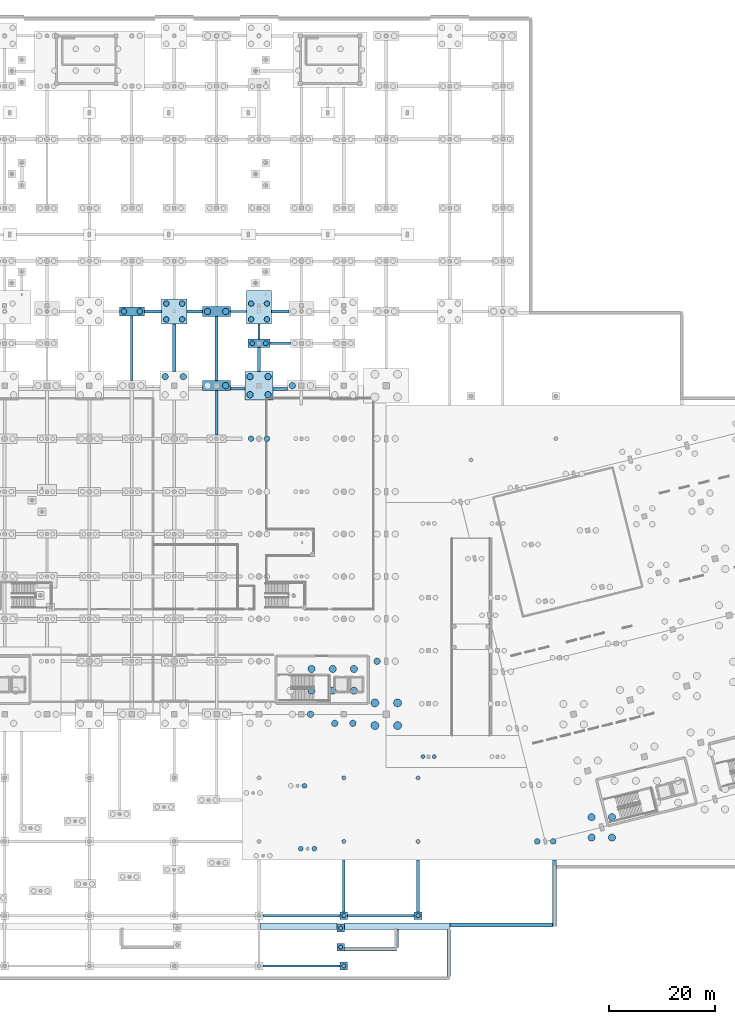
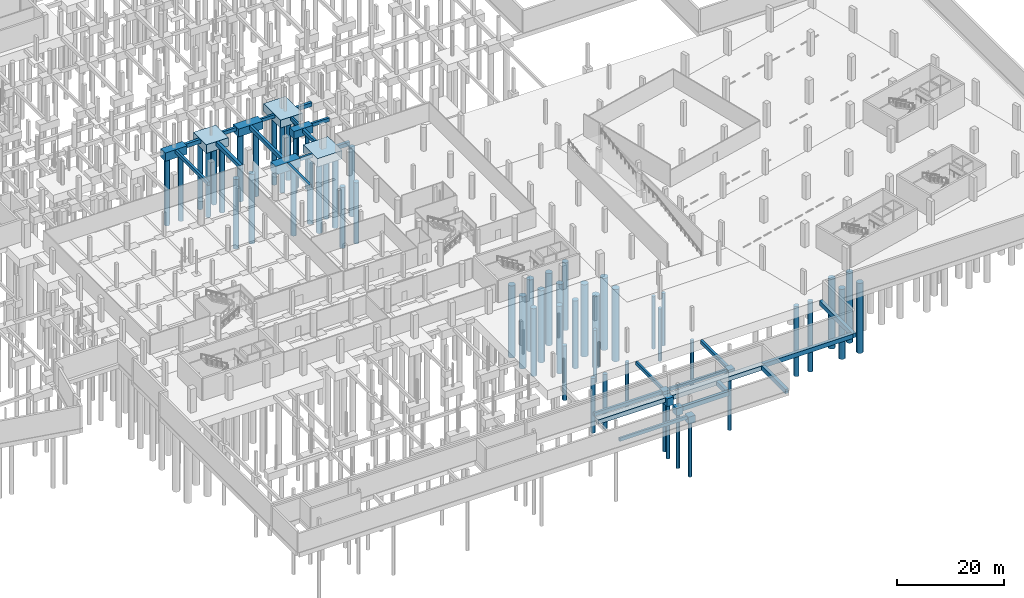
# One storey, part 9 of 65: 58 piles, 37 footings.
"""IFC4 building model written with IfcOpenShell, lengths in metres."""

from ifc_helpers import new_model, si_unit, direction, frame, origin, origin_2d, place, context, subcontext, project, spatial, rectangle, circle, extrude, material, material_profile, profile_set, type_object, element, save


model = new_model("IFC4")

# Units and contexts
model_context = context("Model", 3, precision=1e-05, world=origin(), true_north=direction((0.0, 1.0)))
body_context = subcontext(model_context, "Body", "Model", "MODEL_VIEW")
ifc_project = project(units=[si_unit("LENGTHUNIT", "METRE"), si_unit("AREAUNIT", "SQUARE_METRE"), si_unit("VOLUMEUNIT", "CUBIC_METRE"), si_unit("PLANEANGLEUNIT", "RADIAN"), si_unit("MASSUNIT", "GRAM", prefix="KILO")], contexts=[model_context])

# Site, building, storey
site_placement = place(None, origin())
site = spatial("IfcSite", under=ifc_project, at=site_placement, CompositionType="ELEMENT")
building_placement = place(site_placement, origin())
building = spatial("IfcBuilding", under=site, at=building_placement, Name="Khorjan Park Terminus", CompositionType="ELEMENT")
storey_placement = place(building_placement, frame((0.0, 0.0, -5.4)))
storey = spatial("IfcBuildingStorey", under=building, at=storey_placement, Name="B1", CompositionType="ELEMENT", Elevation=-5.4)

# Footings
ifc_material = material(Name="Concrete C40/50", Category="concrete")
ifc_material_profile_1 = material_profile(ifc_material, rectangle(XDim=0.45, YDim=0.75, at=origin_2d()), Name="RC 450x750")
ifc_profile_set_1 = profile_set([ifc_material_profile_1], Name="Concrete C40/50")
footing_type_1 = type_object("IfcFootingType", Name="FTG-GB-450x750", PredefinedType="FOOTING_BEAM", material=ifc_profile_set_1)
footing_1_placement = place(storey_placement, frame((112.725, -21.5, -0.375), z_axis=(1.0, 0.0, 0.0), x_axis=(0.0, 1.0, 0.0)))
element("IfcFooting", 1, at=footing_1_placement, inside=storey, type_object=footing_type_1, Name="Reinforced concrete ground tie beam FB-07 (5)", PredefinedType="FOOTING_BEAM", context=body_context, shape_type="SweptSolid", body=[
    extrude(rectangle(XDim=0.45, YDim=0.75, at=origin_2d()), origin(), (0.0, 0.0, 1.0), 14.55),
])
footing_2_placement = place(storey_placement, frame((128.725, -12.0, -0.375), z_axis=(1.0, 0.0, 0.0), x_axis=(0.0, 1.0, 0.0)))
element("IfcFooting", 2, at=footing_2_placement, inside=storey, type_object=footing_type_1, Name="Reinforced concrete ground tie beam FB-07 (11)", PredefinedType="FOOTING_BEAM", context=body_context, shape_type="SweptSolid", body=[
    extrude(rectangle(XDim=0.45, YDim=0.75, at=origin_2d()), origin(), (0.0, 0.0, 1.0), 12.55),
])
footing_3_placement = place(storey_placement, frame((106.66, 87.4, -0.375), z_axis=(1.0, 0.0, 0.0), x_axis=(0.0, 1.0, 0.0)))
element("IfcFooting", 3, at=footing_3_placement, inside=storey, type_object=footing_type_1, Name="Reinforced concrete ground tie beam FB-07 (83)", PredefinedType="FOOTING_BEAM", context=body_context, shape_type="SweptSolid", body=[
    extrude(rectangle(XDim=0.45, YDim=0.75, at=origin_2d()), origin(), (0.0, 0.0, 1.0), 2.68),
])
footing_4_placement = place(storey_placement, frame((106.66, 102.0, -0.375), z_axis=(1.0, 0.0, 0.0), x_axis=(0.0, 1.0, 0.0)))
element("IfcFooting", 4, at=footing_4_placement, inside=storey, type_object=footing_type_1, Name="Reinforced concrete ground tie beam FB-07 (101)", PredefinedType="FOOTING_BEAM", context=body_context, shape_type="SweptSolid", body=[
    extrude(rectangle(XDim=0.45, YDim=0.75, at=origin_2d()), origin(), (0.0, 0.0, 1.0), 2.969),
])
footing_5_placement = place(storey_placement, frame((104.0, 78.725, -0.375), z_axis=(0.0, 1.0, 0.0), x_axis=(-1.0, 0.0, 0.0)))
element("IfcFooting", 5, at=footing_5_placement, inside=storey, type_object=footing_type_1, Name="Reinforced concrete ground tie beam FB-07 (335)", PredefinedType="FOOTING_BEAM", context=body_context, shape_type="SweptSolid", body=[
    extrude(rectangle(XDim=0.45, YDim=0.75, at=origin_2d()), origin(), (0.0, 0.0, 1.0), 8.325),
])
footing_6_placement = place(storey_placement, frame((112.0, 96.8, -0.375), z_axis=(0.0, 1.0, 0.0), x_axis=(-1.0, 0.0, 0.0)))
element("IfcFooting", 6, at=footing_6_placement, inside=storey, type_object=footing_type_1, Name="Reinforced concrete ground tie beam FB-07 (344)", PredefinedType="FOOTING_BEAM", context=body_context, shape_type="SweptSolid", body=[
    extrude(rectangle(XDim=0.45, YDim=0.75, at=origin_2d()), origin(), (0.0, 0.0, 1.0), 2.829),
])
footing_7_placement = place(storey_placement, frame((128.0, -11.275, -0.375), z_axis=(0.0, 1.0, 0.0), x_axis=(-1.0, 0.0, 0.0)))
element("IfcFooting", 7, at=footing_7_placement, inside=storey, type_object=footing_type_1, Name="Reinforced concrete ground tie beam FB-07 (353)", PredefinedType="FOOTING_BEAM", context=body_context, shape_type="SweptSolid", body=[
    extrude(rectangle(XDim=0.45, YDim=0.75, at=origin_2d()), origin(), (0.0, 0.0, 1.0), 9.783),
])
ifc_material_profile_2 = material_profile(ifc_material, rectangle(XDim=0.5, YDim=0.8, at=origin_2d()), Name="RC 500x800")
ifc_profile_set_2 = profile_set([ifc_material_profile_2], Name="Concrete C40/50")
footing_type_2 = type_object("IfcFootingType", Name="FTG-GB-500x800", PredefinedType="FOOTING_BEAM", material=ifc_profile_set_2)
footing_8_placement = place(storey_placement, frame((112.725, -12.0, -0.4), z_axis=(1.0, 0.0, 0.0), x_axis=(0.0, 1.0, 0.0)))
element("IfcFooting", 8, at=footing_8_placement, inside=storey, type_object=footing_type_2, Name="Reinforced concrete ground tie beam FB-08 (10)", PredefinedType="FOOTING_BEAM", context=body_context, shape_type="SweptSolid", body=[
    extrude(rectangle(XDim=0.5, YDim=0.8, at=origin_2d()), origin(), (0.0, 0.0, 1.0), 14.55),
])
footing_9_placement = place(storey_placement, frame((114.082, 96.0, -0.4), z_axis=(1.0, 0.0, 0.0), x_axis=(0.0, 1.0, 0.0)))
element("IfcFooting", 9, at=footing_9_placement, inside=storey, type_object=footing_type_2, Name="Reinforced concrete ground tie beam FB-08 (88)", PredefinedType="FOOTING_BEAM", context=body_context, shape_type="SweptSolid", body=[
    extrude(rectangle(XDim=0.5, YDim=0.8, at=origin_2d()), origin(), (0.0, 0.0, 1.0), 3.836),
])
footing_10_placement = place(storey_placement, frame((98.371, 102.0, -0.4), z_axis=(1.0, 0.0, 0.0), x_axis=(0.0, 1.0, 0.0)))
element("IfcFooting", 10, at=footing_10_placement, inside=storey, type_object=footing_type_2, Name="Reinforced concrete ground tie beam FB-08 (100)", PredefinedType="FOOTING_BEAM", context=body_context, shape_type="SweptSolid", body=[
    extrude(rectangle(XDim=0.5, YDim=0.8, at=origin_2d()), origin(), (0.0, 0.0, 1.0), 2.969),
])
footing_11_placement = place(storey_placement, frame((88.0, 88.95, -0.4), z_axis=(0.0, 1.0, 0.0), x_axis=(-1.0, 0.0, 0.0)))
element("IfcFooting", 11, at=footing_11_placement, inside=storey, type_object=footing_type_2, Name="Reinforced concrete ground tie beam FB-08 (310)", PredefinedType="FOOTING_BEAM", context=body_context, shape_type="SweptSolid", body=[
    extrude(rectangle(XDim=0.5, YDim=0.8, at=origin_2d()), origin(), (0.0, 0.0, 1.0), 12.175),
])
footing_12_placement = place(storey_placement, frame((112.0, 90.66, -0.4), z_axis=(0.0, 1.0, 0.0), x_axis=(-1.0, 0.0, 0.0)))
element("IfcFooting", 12, at=footing_12_placement, inside=storey, type_object=footing_type_2, Name="Reinforced concrete ground tie beam FB-08 (343)", PredefinedType="FOOTING_BEAM", context=body_context, shape_type="SweptSolid", body=[
    extrude(rectangle(XDim=0.5, YDim=0.8, at=origin_2d()), origin(), (0.0, 0.0, 1.0), 4.54),
])
footing_13_placement = place(storey_placement, frame((142.0, -11.275, -0.4), z_axis=(0.0, 1.0, 0.0), x_axis=(-1.0, 0.0, 0.0)))
element("IfcFooting", 13, at=footing_13_placement, inside=storey, type_object=footing_type_2, Name="Reinforced concrete ground tie beam FB-08 (364)", PredefinedType="FOOTING_BEAM", context=body_context, shape_type="SweptSolid", body=[
    extrude(rectangle(XDim=0.5, YDim=0.8, at=origin_2d()), origin(), (0.0, 0.0, 1.0), 9.783),
])
ifc_material_profile_3 = material_profile(ifc_material, rectangle(XDim=0.6, YDim=0.9, at=origin_2d()), Name="RC 600x900")
ifc_profile_set_3 = profile_set([ifc_material_profile_3], Name="Concrete C40/50")
footing_type_3 = type_object("IfcFootingType", Name="FTG-GB-600x900", PredefinedType="FOOTING_BEAM", material=ifc_profile_set_3)
footing_14_placement = place(storey_placement, frame((114.66, 87.4, -0.45), z_axis=(1.0, 0.0, 0.0), x_axis=(0.0, 1.0, 0.0)))
element("IfcFooting", 14, at=footing_14_placement, inside=storey, type_object=footing_type_3, Name="Reinforced concrete ground tie beam FB-09 (84)", PredefinedType="FOOTING_BEAM", context=body_context, shape_type="SweptSolid", body=[
    extrude(rectangle(XDim=0.6, YDim=0.9, at=origin_2d()), origin(), (0.0, 0.0, 1.0), 2.68),
])
for number, where, z_axis, x_axis, name in (
    (15, (90.371, 102.0, -0.45), (1.0, 0.0, 0.0), (0.0, 1.0, 0.0), "Reinforced concrete ground tie beam FB-09 (99)"),
    (16, (114.371, 102.0, -0.45), (1.0, 0.0, 0.0), (0.0, 1.0, 0.0), "Reinforced concrete ground tie beam FB-09 (102)"),
):
    element("IfcFooting", number, at=place(storey_placement, frame(where, z_axis=z_axis, x_axis=x_axis)), inside=storey, type_object=footing_type_3, Name=name, PredefinedType="FOOTING_BEAM", context=body_context, shape_type="SweptSolid", body=[
        extrude(rectangle(XDim=0.6, YDim=0.9, at=origin_2d()), origin(), (0.0, 0.0, 1.0), 3.258),
    ])
footing_15_placement = place(storey_placement, frame((96.0, 90.66, -0.45), z_axis=(0.0, 1.0, 0.0), x_axis=(-1.0, 0.0, 0.0)))
element("IfcFooting", 17, at=footing_15_placement, inside=storey, type_object=footing_type_3, Name="Reinforced concrete ground tie beam FB-09 (324)", PredefinedType="FOOTING_BEAM", context=body_context, shape_type="SweptSolid", body=[
    extrude(rectangle(XDim=0.6, YDim=0.9, at=origin_2d()), origin(), (0.0, 0.0, 1.0), 8.969),
])
footing_16_placement = place(storey_placement, frame((104.0, 88.95, -0.45), z_axis=(0.0, 1.0, 0.0), x_axis=(-1.0, 0.0, 0.0)))
element("IfcFooting", 18, at=footing_16_placement, inside=storey, type_object=footing_type_3, Name="Reinforced concrete ground tie beam FB-09 (336)", PredefinedType="FOOTING_BEAM", context=body_context, shape_type="SweptSolid", body=[
    extrude(rectangle(XDim=0.6, YDim=0.9, at=origin_2d()), origin(), (0.0, 0.0, 1.0), 12.1),
])
footing_type_4 = type_object("IfcFootingType", Name="FTG-PC-03", PredefinedType="PILE_CAP", material=ifc_material)
footing_17_placement = place(storey_placement, frame((104.0, 102.0, -1.78), z_axis=(0.0, 0.0, 1.0), x_axis=(1.0, 0.0, 0.0)))
element("IfcFooting", 19, at=footing_17_placement, inside=storey, type_object=footing_type_4, Name="Reinforced concrete pile cap PC-03 (201)", PredefinedType="PILE_CAP", context=body_context, shape_type="SweptSolid", body=[
    extrude(rectangle(XDim=5.32, YDim=1.9, at=origin_2d()), origin(), (0.0, 0.0, 1.0), 1.78),
])
footing_type_5 = type_object("IfcFootingType", Name="FTG-PC-14", PredefinedType="PILE_CAP", material=ifc_material)
footing_18_placement = place(storey_placement, frame((112.0, 96.0, -1.72), z_axis=(0.0, 0.0, 1.0), x_axis=(1.0, 0.0, 0.0)))
element("IfcFooting", 20, at=footing_18_placement, inside=storey, type_object=footing_type_5, Name="Reinforced concrete pile cap PC-14 (218)", PredefinedType="PILE_CAP", context=body_context, shape_type="SweptSolid", body=[
    extrude(rectangle(XDim=4.164, YDim=1.6, at=origin_2d()), origin(), (0.0, 0.0, 1.0), 1.72),
])
footing_type_6 = type_object("IfcFootingType", Name="FTG-PC-15", PredefinedType="PILE_CAP", material=ifc_material)
footing_19_placement = place(storey_placement, frame((128.0, -12.0, -1.6), z_axis=(0.0, 0.0, 1.0), x_axis=(1.0, 0.0, 0.0)))
element("IfcFooting", 21, at=footing_19_placement, inside=storey, type_object=footing_type_6, Name="Reinforced concrete pile cap PC-15 (248)", PredefinedType="PILE_CAP", context=body_context, shape_type="SweptSolid", body=[
    extrude(rectangle(XDim=1.45, YDim=1.45, at=origin_2d()), origin(), (0.0, 0.0, 1.0), 1.6),
])
footing_type_7 = type_object("IfcFootingType", Name="FTG-PC-16", PredefinedType="PILE_CAP", material=ifc_material)
for number, where, z_axis, x_axis, name in (
    (22, (127.41, -17.94, -1.66), (0.0, 0.0, 1.0), (1.0, 0.0, 0.0), "Reinforced concrete pile cap PC-16 (245)"),
    (23, (128.0, -21.5, -1.66), (0.0, 0.0, 1.0), (1.0, 0.0, 0.0), "Reinforced concrete pile cap PC-16 (247)"),
):
    element("IfcFooting", number, at=place(storey_placement, frame(where, z_axis=z_axis, x_axis=x_axis)), inside=storey, type_object=footing_type_7, Name=name, PredefinedType="PILE_CAP", context=body_context, shape_type="SweptSolid", body=[
        extrude(rectangle(XDim=1.45, YDim=1.45, at=origin_2d()), origin(), (0.0, 0.0, 1.0), 1.66),
    ])
footing_type_8 = type_object("IfcFootingType", Name="FTG-PC-17", PredefinedType="PILE_CAP", material=ifc_material)
footing_20_placement = place(storey_placement, frame((127.41, -14.35, -1.72), z_axis=(0.0, 0.0, 1.0), x_axis=(1.0, 0.0, 0.0)))
element("IfcFooting", 24, at=footing_20_placement, inside=storey, type_object=footing_type_8, Name="Reinforced concrete pile cap PC-17 (246)", PredefinedType="PILE_CAP", context=body_context, shape_type="SweptSolid", body=[
    extrude(rectangle(XDim=1.45, YDim=1.45, at=origin_2d()), origin(), (0.0, 0.0, 1.0), 1.72),
])
footing_type_9 = type_object("IfcFootingType", Name="FTG-PC-20", PredefinedType="PILE_CAP", material=ifc_material)
footing_21_placement = place(storey_placement, frame((88.0, 102.0, -1.9), z_axis=(0.0, 0.0, 1.0), x_axis=(1.0, 0.0, 0.0)))
element("IfcFooting", 25, at=footing_21_placement, inside=storey, type_object=footing_type_9, Name="Reinforced concrete pile cap PC-20 (166)", PredefinedType="PILE_CAP", context=body_context, shape_type="SweptSolid", body=[
    extrude(rectangle(XDim=4.742, YDim=1.75, at=origin_2d()), origin(), (0.0, 0.0, 1.0), 1.9),
])
footing_type_10 = type_object("IfcFootingType", Name="FTG-PC-21", PredefinedType="PILE_CAP", material=ifc_material)
footing_22_placement = place(storey_placement, frame((142.0, -12.0, -1.84), z_axis=(0.0, 0.0, 1.0), x_axis=(1.0, 0.0, 0.0)))
element("IfcFooting", 26, at=footing_22_placement, inside=storey, type_object=footing_type_10, Name="Reinforced concrete pile cap PC-21 (256)", PredefinedType="PILE_CAP", context=body_context, shape_type="SweptSolid", body=[
    extrude(rectangle(XDim=1.45, YDim=1.45, at=origin_2d()), origin(), (0.0, 0.0, 1.0), 1.84),
])
footing_type_11 = type_object("IfcFootingType", Name="FTG-PC-48", PredefinedType="PILE_CAP", material=ifc_material)
footing_23_placement = place(storey_placement, frame((96.0, 102.0, -1.96), z_axis=(0.0, 0.0, 1.0), x_axis=(1.0, 0.0, 0.0)))
element("IfcFooting", 27, at=footing_23_placement, inside=storey, type_object=footing_type_11, Name="Reinforced concrete pile cap PC-48 (181)", PredefinedType="PILE_CAP", context=body_context, shape_type="SweptSolid", body=[
    extrude(rectangle(XDim=4.742, YDim=4.742, at=origin_2d()), origin(), (0.0, 0.0, 1.0), 1.96),
])
footing_type_12 = type_object("IfcFootingType", Name="FTG-PC-49", PredefinedType="PILE_CAP", material=ifc_material)
footing_24_placement = place(storey_placement, frame((104.0, 88.0, -2.02), z_axis=(0.0, 0.0, 1.0), x_axis=(1.0, 0.0, 0.0)))
element("IfcFooting", 28, at=footing_24_placement, inside=storey, type_object=footing_type_12, Name="Reinforced concrete pile cap PC-49 (200)", PredefinedType="PILE_CAP", context=body_context, shape_type="SweptSolid", body=[
    extrude(rectangle(XDim=5.32, YDim=1.9, at=origin_2d()), origin(), (0.0, 0.0, 1.0), 2.02),
])
footing_type_13 = type_object("IfcFootingType", Name="FTG-PC-51", PredefinedType="PILE_CAP", material=ifc_material)
footing_25_placement = place(storey_placement, frame((112.0, 102.787, -1.78), z_axis=(0.0, 0.0, 1.0), x_axis=(1.0, 0.0, 0.0)))
element("IfcFooting", 29, at=footing_25_placement, inside=storey, type_object=footing_type_13, Name="Reinforced concrete pile cap PC-51 (216)", PredefinedType="PILE_CAP", context=body_context, shape_type="SweptSolid", body=[
    extrude(rectangle(XDim=4.742, YDim=6.316, at=origin_2d()), origin(), (0.0, 0.0, 1.0), 1.78),
])
footing_type_14 = type_object("IfcFootingType", Name="FTG-PC-58", PredefinedType="PILE_CAP", material=ifc_material)
footing_26_placement = place(storey_placement, frame((112.0, 88.0, -1.9), z_axis=(0.0, 0.0, 1.0), x_axis=(1.0, 0.0, 0.0)))
element("IfcFooting", 30, at=footing_26_placement, inside=storey, type_object=footing_type_14, Name="Reinforced concrete pile cap PC-58 (215)", PredefinedType="PILE_CAP", context=body_context, shape_type="SweptSolid", body=[
    extrude(rectangle(XDim=5.32, YDim=5.32, at=origin_2d()), origin(), (0.0, 0.0, 1.0), 1.9),
])
ifc_material_profile_4 = material_profile(ifc_material, rectangle(XDim=1.2, YDim=1.0, at=origin_2d()), Name="RC 1200x1000")
ifc_profile_set_4 = profile_set([ifc_material_profile_4], Name="Concrete C40/50")
footing_type_15 = type_object("IfcFootingType", Name="FTG-SF-1200x1000", PredefinedType="STRIP_FOOTING", material=ifc_profile_set_4)
footing_27_placement = place(storey_placement, frame((112.228, -13.98, -0.5), z_axis=(1.0, 0.0, 0.0), x_axis=(0.0, 1.0, 0.0)))
element("IfcFooting", 31, at=footing_27_placement, inside=storey, type_object=footing_type_15, Name="Reinforced concrete wall strip footing SF-12 (7)", PredefinedType="STRIP_FOOTING", context=body_context, shape_type="SweptSolid", body=[
    extrude(rectangle(XDim=1.2, YDim=1.0, at=origin_2d()), origin(), (0.0, 0.0, 1.0), 14.454),
])
footing_28_placement = place(storey_placement, frame((128.138, -13.98, -0.5), z_axis=(1.0, 0.0, 0.0), x_axis=(0.0, 1.0, 0.0)))
element("IfcFooting", 32, at=footing_28_placement, inside=storey, type_object=footing_type_15, Name="Reinforced concrete wall strip footing SF-12 (8)", PredefinedType="STRIP_FOOTING", context=body_context, shape_type="SweptSolid", body=[
    extrude(rectangle(XDim=1.2, YDim=1.0, at=origin_2d()), origin(), (0.0, 0.0, 1.0), 19.862),
])
ifc_material_profile_5 = material_profile(ifc_material, rectangle(XDim=0.7, YDim=1.0, at=origin_2d()), Name="RC 700x1000")
ifc_profile_set_5 = profile_set([ifc_material_profile_5], Name="Concrete C40/50")
footing_type_16 = type_object("IfcFootingType", Name="FTG-SF-700x1000", PredefinedType="STRIP_FOOTING", material=ifc_profile_set_5)
footing_29_placement = place(storey_placement, frame((167.76, -1.495, -0.5), z_axis=(0.0, -1.0, 0.0), x_axis=(1.0, 0.0, 0.0)))
element("IfcFooting", 33, at=footing_29_placement, inside=storey, type_object=footing_type_16, Name="Reinforced concrete wall strip footing SF-07 (21)", PredefinedType="STRIP_FOOTING", context=body_context, shape_type="SweptSolid", body=[
    extrude(rectangle(XDim=0.7, YDim=1.0, at=origin_2d()), origin(), (0.0, 0.0, 1.0), 12.505),
])
footing_30_placement = place(storey_placement, frame((148.003, -13.76, -0.5), z_axis=(1.0, 0.0, 0.0), x_axis=(0.0, 1.0, 0.0)))
element("IfcFooting", 34, at=footing_30_placement, inside=storey, type_object=footing_type_16, Name="Reinforced concrete wall strip footing SF-07 (52)", PredefinedType="STRIP_FOOTING", context=body_context, shape_type="SweptSolid", body=[
    extrude(rectangle(XDim=0.7, YDim=1.0, at=origin_2d()), origin(), (0.0, 0.0, 1.0), 19.404),
])
footing_31_placement = place(storey_placement, frame((128.138, -18.35, -0.5), z_axis=(1.0, 0.0, 0.0), x_axis=(0.0, 1.0, 0.0)))
element("IfcFooting", 35, at=footing_31_placement, inside=storey, type_object=footing_type_16, Name="Reinforced concrete wall strip footing SF-07 (59)", PredefinedType="STRIP_FOOTING", context=body_context, shape_type="SweptSolid", body=[
    extrude(rectangle(XDim=0.7, YDim=1.0, at=origin_2d()), origin(), (0.0, 0.0, 1.0), 9.862),
])
footing_32_placement = place(storey_placement, frame((147.79, -14.583, -0.5), z_axis=(0.0, -1.0, 0.0), x_axis=(1.0, 0.0, 0.0)))
element("IfcFooting", 36, at=footing_32_placement, inside=storey, type_object=footing_type_16, Name="Reinforced concrete wall strip footing SF-07 (64)", PredefinedType="STRIP_FOOTING", context=body_context, shape_type="SweptSolid", body=[
    extrude(rectangle(XDim=0.7, YDim=1.0, at=origin_2d()), origin(), (0.0, 0.0, 1.0), 8.854),
])
footing_33_placement = place(storey_placement, frame((138.0, -17.997, -0.5), z_axis=(0.0, 1.0, 0.0), x_axis=(-1.0, 0.0, 0.0)))
element("IfcFooting", 37, at=footing_33_placement, inside=storey, type_object=footing_type_16, Name="Reinforced concrete wall strip footing SF-07 (83)", PredefinedType="STRIP_FOOTING", context=body_context, shape_type="SweptSolid", body=[
    extrude(rectangle(XDim=0.7, YDim=1.0, at=origin_2d()), origin(), (0.0, 0.0, 1.0), 3.414),
])

# Piles
ifc_material_profile_6 = material_profile(ifc_material, circle(Radius=0.525, at=origin_2d()), Name="BORED D1050")
ifc_profile_set_6 = profile_set([ifc_material_profile_6], Name="Concrete C40/50")
pile_type_1 = type_object("IfcPileType", Name="PL-D1050", PredefinedType="BORED", material=ifc_profile_set_6)
for number, where, z_axis, x_axis, name in (
    (38, (86.5035, 102.0, -1.8), (0.0, 0.0, -1.0), (1.0, 0.0, 0.0), "Bored rock-socketed pile PL-105 (370)"),
    (39, (89.4965, 102.0, -1.8), (0.0, 0.0, -1.0), (1.0, 0.0, 0.0), "Bored rock-socketed pile PL-105 (371)"),
):
    element("IfcPile", number, at=place(storey_placement, frame(where, z_axis=z_axis, x_axis=x_axis)), inside=storey, type_object=pile_type_1, Name=name, PredefinedType="BORED", context=body_context, shape_type="SweptSolid", body=[
        extrude(circle(Radius=0.525, at=origin_2d()), origin(), (0.0, 0.0, 1.0), 15.3),
    ])
for number, where, z_axis, x_axis, name in (
    (40, (94.5035, 100.5035, -1.86), (0.0, 0.0, -1.0), (1.0, 0.0, 0.0), "Bored rock-socketed pile PL-105 (404)"),
    (41, (94.5035, 103.4965, -1.86), (0.0, 0.0, -1.0), (1.0, 0.0, 0.0), "Bored rock-socketed pile PL-105 (405)"),
    (42, (97.4965, 100.5035, -1.86), (0.0, 0.0, -1.0), (1.0, 0.0, 0.0), "Bored rock-socketed pile PL-105 (406)"),
    (43, (97.4965, 103.4965, -1.86), (0.0, 0.0, -1.0), (1.0, 0.0, 0.0), "Bored rock-socketed pile PL-105 (407)"),
):
    element("IfcPile", number, at=place(storey_placement, frame(where, z_axis=z_axis, x_axis=x_axis)), inside=storey, type_object=pile_type_1, Name=name, PredefinedType="BORED", context=body_context, shape_type="SweptSolid", body=[
        extrude(circle(Radius=0.525, at=origin_2d()), origin(), (0.0, 0.0, 1.0), 15.24),
    ])
for number, where, z_axis, x_axis, name in (
    (44, (164.5035, 2.0, -2.14), (0.0, 0.0, -1.0), (1.0, 0.0, 0.0), "Bored rock-socketed pile PL-105 (613)"),
    (45, (167.4965, 2.0, -2.14), (0.0, 0.0, -1.0), (1.0, 0.0, 0.0), "Bored rock-socketed pile PL-105 (614)"),
):
    element("IfcPile", number, at=place(storey_placement, frame(where, z_axis=z_axis, x_axis=x_axis)), inside=storey, type_object=pile_type_1, Name=name, PredefinedType="BORED", context=body_context, shape_type="SweptSolid", body=[
        extrude(circle(Radius=0.525, at=origin_2d()), origin(), (0.0, 0.0, 1.0), 15.96),
    ])
for number, where, z_axis, x_axis, name in (
    (46, (110.5035, 78.0, -2.14), (0.0, 0.0, -1.0), (1.0, 0.0, 0.0), "Bored rock-socketed pile PL-105 (665)"),
    (47, (113.4965, 78.0, -2.14), (0.0, 0.0, -1.0), (1.0, 0.0, 0.0), "Bored rock-socketed pile PL-105 (666)"),
):
    element("IfcPile", number, at=place(storey_placement, frame(where, z_axis=z_axis, x_axis=x_axis)), inside=storey, type_object=pile_type_1, Name=name, PredefinedType="BORED", context=body_context, shape_type="SweptSolid", body=[
        extrude(circle(Radius=0.525, at=origin_2d()), origin(), (0.0, 0.0, 1.0), 13.96),
    ])
for number, where, z_axis, x_axis, name in (
    (48, (110.5035, 100.5035, -1.68), (0.0, 0.0, -1.0), (1.0, 0.0, 0.0), "Bored rock-socketed pile PL-105 (746)"),
    (49, (110.5035, 103.4965, -1.68), (0.0, 0.0, -1.0), (1.0, 0.0, 0.0), "Bored rock-socketed pile PL-105 (747)"),
    (50, (113.4965, 100.5035, -1.68), (0.0, 0.0, -1.0), (1.0, 0.0, 0.0), "Bored rock-socketed pile PL-105 (748)"),
    (51, (113.4965, 103.4965, -1.68), (0.0, 0.0, -1.0), (1.0, 0.0, 0.0), "Bored rock-socketed pile PL-105 (749)"),
):
    element("IfcPile", number, at=place(storey_placement, frame(where, z_axis=z_axis, x_axis=x_axis)), inside=storey, type_object=pile_type_1, Name=name, PredefinedType="BORED", context=body_context, shape_type="SweptSolid", body=[
        extrude(circle(Radius=0.525, at=origin_2d()), origin(), (0.0, 0.0, 1.0), 15.42),
    ])
ifc_material_profile_7 = material_profile(ifc_material, circle(Radius=0.6, at=origin_2d()), Name="BORED D1200")
ifc_profile_set_7 = profile_set([ifc_material_profile_7], Name="Concrete C40/50")
pile_type_2 = type_object("IfcPileType", Name="PL-D1200", PredefinedType="BORED", material=ifc_profile_set_7)
for number, where, z_axis, x_axis, name in (
    (52, (94.29, 89.71, -1.74), (0.0, 0.0, -1.0), (1.0, 0.0, 0.0), "Bored rock-socketed pile PL-120 (397)"),
    (53, (97.71, 89.71, -1.74), (0.0, 0.0, -1.0), (1.0, 0.0, 0.0), "Bored rock-socketed pile PL-120 (399)"),
):
    element("IfcPile", number, at=place(storey_placement, frame(where, z_axis=z_axis, x_axis=x_axis)), inside=storey, type_object=pile_type_2, Name=name, PredefinedType="BORED", context=body_context, shape_type="SweptSolid", body=[
        extrude(circle(Radius=0.6, at=origin_2d()), origin(), (0.0, 0.0, 1.0), 15.86),
    ])
pile_1_placement = place(storey_placement, frame((105.71, 88.0, -1.92), z_axis=(0.0, 0.0, -1.0), x_axis=(1.0, 0.0, 0.0)))
element("IfcPile", 54, at=pile_1_placement, inside=storey, type_object=pile_type_2, Name="Bored rock-socketed pile PL-120 (441)", PredefinedType="BORED", context=body_context, shape_type="SweptSolid", body=[
    extrude(circle(Radius=0.6, at=origin_2d()), origin(), (0.0, 0.0, 1.0), 15.68),
])
for number, where, z_axis, x_axis, name in (
    (55, (102.29, 102.0, -1.68), (0.0, 0.0, -1.0), (1.0, 0.0, 0.0), "Bored rock-socketed pile PL-120 (442)"),
    (56, (105.71, 102.0, -1.68), (0.0, 0.0, -1.0), (1.0, 0.0, 0.0), "Bored rock-socketed pile PL-120 (443)"),
):
    element("IfcPile", number, at=place(storey_placement, frame(where, z_axis=z_axis, x_axis=x_axis)), inside=storey, type_object=pile_type_2, Name=name, PredefinedType="BORED", context=body_context, shape_type="SweptSolid", body=[
        extrude(circle(Radius=0.6, at=origin_2d()), origin(), (0.0, 0.0, 1.0), 15.42),
    ])
for number, where, z_axis, x_axis, name in (
    (57, (121.71, 26.0, -2.14), (0.0, 0.0, -1.0), (1.0, 0.0, 0.0), "Bored rock-socketed pile PL-120 (584)"),
    (58, (126.29, 24.29, -2.14), (0.0, 0.0, -1.0), (1.0, 0.0, 0.0), "Bored rock-socketed pile PL-120 (585)"),
    (59, (129.71, 24.29, -2.14), (0.0, 0.0, -1.0), (1.0, 0.0, 0.0), "Bored rock-socketed pile PL-120 (586)"),
    (60, (134.29, 36.0, -2.14), (0.0, 0.0, -1.0), (1.0, 0.0, 0.0), "Bored rock-socketed pile PL-120 (587)"),
):
    element("IfcPile", number, at=place(storey_placement, frame(where, z_axis=z_axis, x_axis=x_axis)), inside=storey, type_object=pile_type_2, Name=name, PredefinedType="BORED", context=body_context, shape_type="SweptSolid", body=[
        extrude(circle(Radius=0.6, at=origin_2d()), origin(), (0.0, 0.0, 1.0), 15.46),
    ])
for number, where, z_axis, x_axis, name in (
    (61, (110.29, 86.29, -1.8), (0.0, 0.0, -1.0), (1.0, 0.0, 0.0), "Bored rock-socketed pile PL-120 (742)"),
    (62, (110.29, 89.71, -1.8), (0.0, 0.0, -1.0), (1.0, 0.0, 0.0), "Bored rock-socketed pile PL-120 (743)"),
    (63, (113.71, 86.29, -1.8), (0.0, 0.0, -1.0), (1.0, 0.0, 0.0), "Bored rock-socketed pile PL-120 (744)"),
    (64, (113.71, 89.71, -1.8), (0.0, 0.0, -1.0), (1.0, 0.0, 0.0), "Bored rock-socketed pile PL-120 (745)"),
):
    element("IfcPile", number, at=place(storey_placement, frame(where, z_axis=z_axis, x_axis=x_axis)), inside=storey, type_object=pile_type_2, Name=name, PredefinedType="BORED", context=body_context, shape_type="SweptSolid", body=[
        extrude(circle(Radius=0.6, at=origin_2d()), origin(), (0.0, 0.0, 1.0), 15.8),
    ])
pile_2_placement = place(storey_placement, frame((118.29, 88.0, -1.92), z_axis=(0.0, 0.0, -1.0), x_axis=(1.0, 0.0, 0.0)))
element("IfcPile", 65, at=pile_2_placement, inside=storey, type_object=pile_type_2, Name="Bored rock-socketed pile PL-120 (773)", PredefinedType="BORED", context=body_context, shape_type="SweptSolid", body=[
    extrude(circle(Radius=0.6, at=origin_2d()), origin(), (0.0, 0.0, 1.0), 15.68),
])
ifc_material_profile_8 = material_profile(ifc_material, circle(Radius=0.675, at=origin_2d()), Name="BORED D1350")
ifc_profile_set_8 = profile_set([ifc_material_profile_8], Name="Concrete C40/50")
pile_type_3 = type_object("IfcPileType", Name="PL-D1350", PredefinedType="BORED", material=ifc_profile_set_8)
for number, where, z_axis, x_axis, name in (
    (66, (121.9, 30.45, -2.14), (0.0, 0.0, -1.0), (1.0, 0.0, 0.0), "Bored rock-socketed pile PL-135 (474)"),
    (67, (121.9, 34.55, -2.14), (0.0, 0.0, -1.0), (1.0, 0.0, 0.0), "Bored rock-socketed pile PL-135 (475)"),
    (68, (125.9, 30.45, -2.14), (0.0, 0.0, -1.0), (1.0, 0.0, 0.0), "Bored rock-socketed pile PL-135 (476)"),
    (69, (125.9, 34.55, -2.14), (0.0, 0.0, -1.0), (1.0, 0.0, 0.0), "Bored rock-socketed pile PL-135 (477)"),
    (70, (129.9, 30.45, -2.14), (0.0, 0.0, -1.0), (1.0, 0.0, 0.0), "Bored rock-socketed pile PL-135 (478)"),
    (71, (129.9, 34.55, -2.14), (0.0, 0.0, -1.0), (1.0, 0.0, 0.0), "Bored rock-socketed pile PL-135 (479)"),
):
    element("IfcPile", number, at=place(storey_placement, frame(where, z_axis=z_axis, x_axis=x_axis)), inside=storey, type_object=pile_type_3, Name=name, PredefinedType="BORED", context=body_context, shape_type="SweptSolid", body=[
        extrude(circle(Radius=0.675, at=origin_2d()), origin(), (0.0, 0.0, 1.0), 16.46),
    ])
for number, where, z_axis, x_axis, name in (
    (72, (174.749, 2.737, -2.14), (0.0, 0.0, -1.0), (1.0, 0.0, 0.0), "Bored rock-socketed pile PL-135 (480)"),
    (73, (174.749, 6.585, -2.14), (0.0, 0.0, -1.0), (1.0, 0.0, 0.0), "Bored rock-socketed pile PL-135 (481)"),
    (74, (178.597, 2.737, -2.14), (0.0, 0.0, -1.0), (1.0, 0.0, 0.0), "Bored rock-socketed pile PL-135 (482)"),
    (75, (178.597, 6.585, -2.14), (0.0, 0.0, -1.0), (1.0, 0.0, 0.0), "Bored rock-socketed pile PL-135 (483)"),
):
    element("IfcPile", number, at=place(storey_placement, frame(where, z_axis=z_axis, x_axis=x_axis)), inside=storey, type_object=pile_type_3, Name=name, PredefinedType="BORED", context=body_context, shape_type="SweptSolid", body=[
        extrude(circle(Radius=0.675, at=origin_2d()), origin(), (0.0, 0.0, 1.0), 15.96),
    ])
ifc_material_profile_9 = material_profile(ifc_material, circle(Radius=0.75, at=origin_2d()), Name="BORED D1500")
ifc_profile_set_9 = profile_set([ifc_material_profile_9], Name="Concrete C40/50")
pile_type_4 = type_object("IfcPileType", Name="PL-D1500", PredefinedType="BORED", material=ifc_profile_set_9)
for number, where, z_axis, x_axis, name in (
    (76, (133.8625, 23.8625, -2.14), (0.0, 0.0, -1.0), (1.0, 0.0, 0.0), "Bored rock-socketed pile PL-150 (468)"),
    (77, (133.8625, 28.1375, -2.14), (0.0, 0.0, -1.0), (1.0, 0.0, 0.0), "Bored rock-socketed pile PL-150 (469)"),
    (78, (138.1375, 23.8625, -2.14), (0.0, 0.0, -1.0), (1.0, 0.0, 0.0), "Bored rock-socketed pile PL-150 (470)"),
    (79, (138.1375, 28.1375, -2.14), (0.0, 0.0, -1.0), (1.0, 0.0, 0.0), "Bored rock-socketed pile PL-150 (471)"),
):
    element("IfcPile", number, at=place(storey_placement, frame(where, z_axis=z_axis, x_axis=x_axis)), inside=storey, type_object=pile_type_4, Name=name, PredefinedType="BORED", context=body_context, shape_type="SweptSolid", body=[
        extrude(circle(Radius=0.75, at=origin_2d()), origin(), (0.0, 0.0, 1.0), 16.46),
    ])
ifc_material_profile_10 = material_profile(ifc_material, circle(Radius=0.375, at=origin_2d()), Name="BORED D750")
ifc_profile_set_10 = profile_set([ifc_material_profile_10], Name="Concrete C40/50")
pile_type_5 = type_object("IfcPileType", Name="PL-D750", PredefinedType="BORED", material=ifc_profile_set_10)
for number, where, z_axis, x_axis, name in (
    (80, (142.931, 18.0, -2.14), (0.0, 0.0, -1.0), (1.0, 0.0, 0.0), "Bored rock-socketed pile PL-75 (723)"),
    (81, (145.069, 18.0, -2.14), (0.0, 0.0, -1.0), (1.0, 0.0, 0.0), "Bored rock-socketed pile PL-75 (724)"),
    (82, (128.0, 14.0, -2.14), (0.0, 0.0, -1.0), (1.0, 0.0, 0.0), "Bored rock-socketed pile PL-75 (733)"),
    (83, (128.0, 2.0, -2.14), (0.0, 0.0, -1.0), (1.0, 0.0, 0.0), "Bored rock-socketed pile PL-75 (734)"),
    (84, (142.0, 14.0, -2.14), (0.0, 0.0, -1.0), (1.0, 0.0, 0.0), "Bored rock-socketed pile PL-75 (735)"),
    (85, (142.0, 2.0, -2.14), (0.0, 0.0, -1.0), (1.0, 0.0, 0.0), "Bored rock-socketed pile PL-75 (736)"),
):
    element("IfcPile", number, at=place(storey_placement, frame(where, z_axis=z_axis, x_axis=x_axis)), inside=storey, type_object=pile_type_5, Name=name, PredefinedType="BORED", context=body_context, shape_type="SweptSolid", body=[
        extrude(circle(Radius=0.375, at=origin_2d()), origin(), (0.0, 0.0, 1.0), 11.96),
    ])
pile_3_placement = place(storey_placement, frame((127.41, -17.94, -1.56), z_axis=(0.0, 0.0, -1.0), x_axis=(1.0, 0.0, 0.0)))
element("IfcPile", 86, at=pile_3_placement, inside=storey, type_object=pile_type_5, Name="Bored rock-socketed pile PL-75 (809)", PredefinedType="BORED", context=body_context, shape_type="SweptSolid", body=[
    extrude(circle(Radius=0.375, at=origin_2d()), origin(), (0.0, 0.0, 1.0), 12.54),
])
pile_4_placement = place(storey_placement, frame((127.41, -14.35, -1.62), z_axis=(0.0, 0.0, -1.0), x_axis=(1.0, 0.0, 0.0)))
element("IfcPile", 87, at=pile_4_placement, inside=storey, type_object=pile_type_5, Name="Bored rock-socketed pile PL-75 (810)", PredefinedType="BORED", context=body_context, shape_type="SweptSolid", body=[
    extrude(circle(Radius=0.375, at=origin_2d()), origin(), (0.0, 0.0, 1.0), 12.48),
])
pile_5_placement = place(storey_placement, frame((128.0, -21.5, -1.56), z_axis=(0.0, 0.0, -1.0), x_axis=(1.0, 0.0, 0.0)))
element("IfcPile", 88, at=pile_5_placement, inside=storey, type_object=pile_type_5, Name="Bored rock-socketed pile PL-75 (811)", PredefinedType="BORED", context=body_context, shape_type="SweptSolid", body=[
    extrude(circle(Radius=0.375, at=origin_2d()), origin(), (0.0, 0.0, 1.0), 12.54),
])
pile_6_placement = place(storey_placement, frame((128.0, -12.0, -1.5), z_axis=(0.0, 0.0, -1.0), x_axis=(1.0, 0.0, 0.0)))
element("IfcPile", 89, at=pile_6_placement, inside=storey, type_object=pile_type_5, Name="Bored rock-socketed pile PL-75 (812)", PredefinedType="BORED", context=body_context, shape_type="SweptSolid", body=[
    extrude(circle(Radius=0.375, at=origin_2d()), origin(), (0.0, 0.0, 1.0), 12.6),
])
pile_7_placement = place(storey_placement, frame((142.0, -12.0, -1.74), z_axis=(0.0, 0.0, -1.0), x_axis=(1.0, 0.0, 0.0)))
element("IfcPile", 90, at=pile_7_placement, inside=storey, type_object=pile_type_5, Name="Bored rock-socketed pile PL-75 (829)", PredefinedType="BORED", context=body_context, shape_type="SweptSolid", body=[
    extrude(circle(Radius=0.375, at=origin_2d()), origin(), (0.0, 0.0, 1.0), 12.36),
])
ifc_material_profile_11 = material_profile(ifc_material, circle(Radius=0.45, at=origin_2d()), Name="BORED D900")
ifc_profile_set_11 = profile_set([ifc_material_profile_11], Name="Concrete C40/50")
pile_type_6 = type_object("IfcPileType", Name="PL-D900", PredefinedType="BORED", material=ifc_profile_set_11)
for number, where, z_axis, x_axis, name in (
    (91, (119.8805, 0.637, -2.14), (0.0, 0.0, -1.0), (1.0, 0.0, 0.0), "Bored rock-socketed pile PL-90 (695)"),
    (92, (122.4455, 0.637, -2.14), (0.0, 0.0, -1.0), (1.0, 0.0, 0.0), "Bored rock-socketed pile PL-90 (696)"),
    (93, (120.5685, 12.49, -2.14), (0.0, 0.0, -1.0), (1.0, 0.0, 0.0), "Bored rock-socketed pile PL-90 (700)"),
):
    element("IfcPile", number, at=place(storey_placement, frame(where, z_axis=z_axis, x_axis=x_axis)), inside=storey, type_object=pile_type_6, Name=name, PredefinedType="BORED", context=body_context, shape_type="SweptSolid", body=[
        extrude(circle(Radius=0.45, at=origin_2d()), origin(), (0.0, 0.0, 1.0), 12.46),
    ])
for number, where, z_axis, x_axis, name in (
    (94, (110.7175, 96.0, -1.62), (0.0, 0.0, -1.0), (1.0, 0.0, 0.0), "Bored rock-socketed pile PL-90 (754)"),
    (95, (113.2825, 96.0, -1.62), (0.0, 0.0, -1.0), (1.0, 0.0, 0.0), "Bored rock-socketed pile PL-90 (755)"),
):
    element("IfcPile", number, at=place(storey_placement, frame(where, z_axis=z_axis, x_axis=x_axis)), inside=storey, type_object=pile_type_6, Name=name, PredefinedType="BORED", context=body_context, shape_type="SweptSolid", body=[
        extrude(circle(Radius=0.45, at=origin_2d()), origin(), (0.0, 0.0, 1.0), 12.98),
    ])

save(model, "model.ifc")
